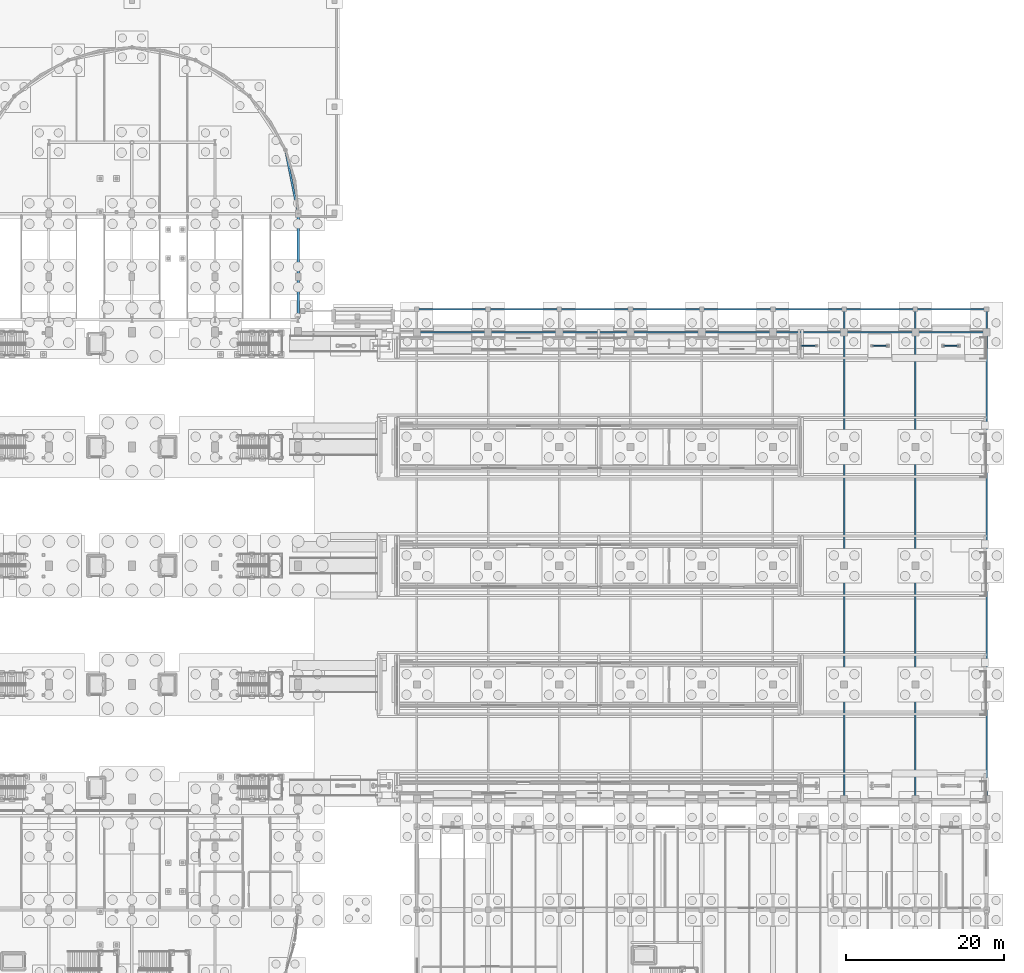
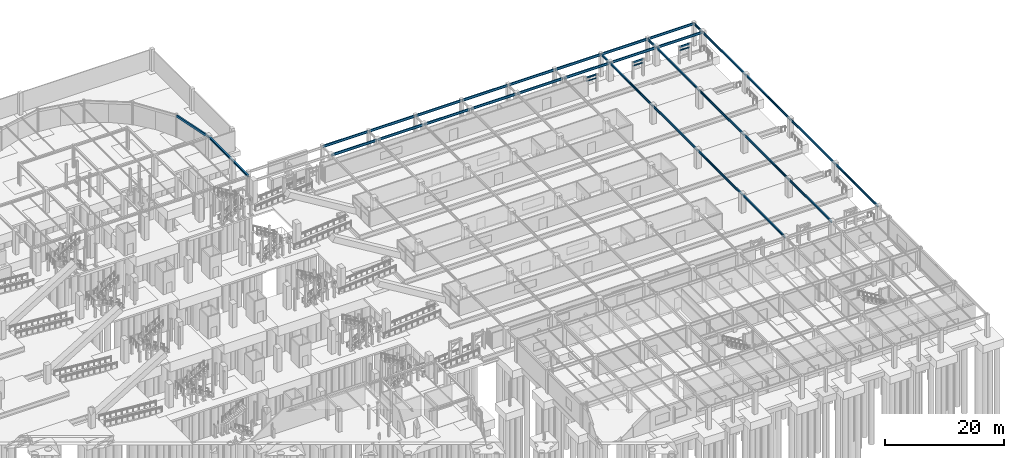
# One storey, part 90 of 160: 24 beams, 3 members.
"""IFC4 building model written with IfcOpenShell, lengths in metres."""

from ifc_helpers import new_model, si_unit, direction, frame, origin, origin_2d, place, context, subcontext, project, spatial, hollow_rectangle, i_section, extrude, material, material_profile, profile_set, type_object, element, save


model = new_model("IFC4")

# Units and contexts
model_context = context("Model", 3, precision=1e-05, world=origin(), true_north=direction((0.0, 1.0)))
body_context = subcontext(model_context, "Body", "Model", "MODEL_VIEW")
ifc_project = project(units=[si_unit("LENGTHUNIT", "METRE"), si_unit("AREAUNIT", "SQUARE_METRE"), si_unit("VOLUMEUNIT", "CUBIC_METRE"), si_unit("PLANEANGLEUNIT", "RADIAN"), si_unit("MASSUNIT", "GRAM", prefix="KILO")], contexts=[model_context])

# Site, building, storey
site_placement = place(None, origin())
site = spatial("IfcSite", under=ifc_project, at=site_placement, CompositionType="ELEMENT")
building_placement = place(site_placement, origin())
building = spatial("IfcBuilding", under=site, at=building_placement, Name="Marlcrest Central Station", CompositionType="ELEMENT")
storey_placement = place(building_placement, origin())
storey = spatial("IfcBuildingStorey", under=building, at=storey_placement, Name="L00", CompositionType="ELEMENT", Elevation=0.0)

# Beams
ifc_material = material(Name="Steel S355", Category="steel")
ifc_material_profile_1 = material_profile(ifc_material, i_section(OverallWidth=0.18994140625, OverallDepth=0.449951171875, WebThickness=0.009521484375, FlangeThickness=0.0146484375, FilletRadius=0.02099609375, at=origin_2d()), Name="IPE 450")
ifc_profile_set_1 = profile_set([ifc_material_profile_1], Name="Steel S355")
beam_type_1 = type_object("IfcBeamType", Name="BM-04", PredefinedType="BEAM", material=ifc_profile_set_1)
for number, where, z_axis, x_axis, name in (
    (1, (198.0, 36.550048828125, 4.385009765625), (0.0, 1.0, 0.0), (-1.0, 0.0, 0.0), "bm-BM-04-L00-01126"),
    (2, (207.0, 36.550048828125, 4.385009765625), (0.0, 1.0, 0.0), (-1.0, 0.0, 0.0), "bm-BM-04-L00-01131"),
    (3, (216.0, 36.550048828125, 4.385009765625), (0.0, 1.0, 0.0), (-1.0, 0.0, 0.0), "bm-BM-04-L00-01136"),
):
    element("IfcBeam", number, at=place(storey_placement, frame(where, z_axis=z_axis, x_axis=x_axis)), inside=storey, type_object=beam_type_1, Name=name, PredefinedType="BEAM", context=body_context, shape_type="SweptSolid", body=[
        extrude(i_section(OverallWidth=0.18994140625, OverallDepth=0.449951171875, WebThickness=0.009521484375, FlangeThickness=0.0146484375, FilletRadius=0.02099609375, at=origin_2d()), origin(), (0.0, 0.0, 1.0), 61.800048828125),
    ])
ifc_material_profile_2 = material_profile(ifc_material, i_section(OverallWidth=0.199951171875, OverallDepth=0.5, WebThickness=0.01025390625, FlangeThickness=0.01611328125, FilletRadius=0.02099609375, at=origin_2d()), Name="IPE 500")
ifc_profile_set_2 = profile_set([ifc_material_profile_2], Name="Steel S355")
beam_type_2 = type_object("IfcBeamType", Name="BM-05", PredefinedType="BEAM", material=ifc_profile_set_2)
for number, where, z_axis, x_axis, name in (
    (4, (144.050048828125, 95.5, 4.360107421875), (1.0, 0.0, 0.0), (0.0, 1.0, 0.0), "bm-BM-05-L00-01098"),
    (5, (144.050048828125, 98.39990234375, 4.360107421875), (1.0, 0.0, 0.0), (0.0, 1.0, 0.0), "bm-BM-05-L00-01099"),
    (6, (153.050048828125, 95.5, 4.360107421875), (1.0, 0.0, 0.0), (0.0, 1.0, 0.0), "bm-BM-05-L00-01103"),
    (7, (153.050048828125, 98.39990234375, 4.360107421875), (1.0, 0.0, 0.0), (0.0, 1.0, 0.0), "bm-BM-05-L00-01104"),
    (8, (162.050048828125, 95.5, 4.360107421875), (1.0, 0.0, 0.0), (0.0, 1.0, 0.0), "bm-BM-05-L00-01108"),
    (9, (162.050048828125, 98.39990234375, 4.360107421875), (1.0, 0.0, 0.0), (0.0, 1.0, 0.0), "bm-BM-05-L00-01109"),
    (10, (171.050048828125, 95.5, 4.360107421875), (1.0, 0.0, 0.0), (0.0, 1.0, 0.0), "bm-BM-05-L00-01113"),
    (11, (171.050048828125, 98.39990234375, 4.360107421875), (1.0, 0.0, 0.0), (0.0, 1.0, 0.0), "bm-BM-05-L00-01114"),
    (12, (180.050048828125, 95.5, 4.360107421875), (1.0, 0.0, 0.0), (0.0, 1.0, 0.0), "bm-BM-05-L00-01118"),
    (13, (180.050048828125, 98.39990234375, 4.360107421875), (1.0, 0.0, 0.0), (0.0, 1.0, 0.0), "bm-BM-05-L00-01119"),
    (14, (189.050048828125, 95.5, 4.360107421875), (1.0, 0.0, 0.0), (0.0, 1.0, 0.0), "bm-BM-05-L00-01123"),
    (15, (189.050048828125, 98.39990234375, 4.360107421875), (1.0, 0.0, 0.0), (0.0, 1.0, 0.0), "bm-BM-05-L00-01124"),
    (16, (198.050048828125, 95.5, 4.360107421875), (1.0, 0.0, 0.0), (0.0, 1.0, 0.0), "bm-BM-05-L00-01128"),
    (17, (198.050048828125, 98.39990234375, 4.360107421875), (1.0, 0.0, 0.0), (0.0, 1.0, 0.0), "bm-BM-05-L00-01129"),
    (18, (207.050048828125, 95.5, 4.360107421875), (1.0, 0.0, 0.0), (0.0, 1.0, 0.0), "bm-BM-05-L00-01133"),
    (19, (207.050048828125, 98.39990234375, 4.360107421875), (1.0, 0.0, 0.0), (0.0, 1.0, 0.0), "bm-BM-05-L00-01134"),
):
    element("IfcBeam", number, at=place(storey_placement, frame(where, z_axis=z_axis, x_axis=x_axis)), inside=storey, type_object=beam_type_2, Name=name, PredefinedType="BEAM", context=body_context, shape_type="SweptSolid", body=[
        extrude(i_section(OverallWidth=0.199951171875, OverallDepth=0.5, WebThickness=0.01025390625, FlangeThickness=0.01611328125, FilletRadius=0.02099609375, at=origin_2d()), origin(), (0.0, 0.0, 1.0), 8.89990234375),
    ])
ifc_material_profile_3 = material_profile(ifc_material, i_section(OverallWidth=0.300048828125, OverallDepth=0.389892578125, WebThickness=0.010986328125, FlangeThickness=0.01904296875, FilletRadius=0.027099609375, at=origin_2d()), Name="HEA 400")
ifc_profile_set_3 = profile_set([ifc_material_profile_3], Name="Steel S355")
beam_type_3 = type_object("IfcBeamType", Name="BM-08", PredefinedType="BEAM", material=ifc_profile_set_3)
beam_1_placement = place(storey_placement, frame((129.0, 97.14990234375, 4.324951171875), z_axis=(0.0, 1.0, 0.0), x_axis=(-1.0, 0.0, 0.0)))
element("IfcBeam", 20, at=beam_1_placement, inside=storey, type_object=beam_type_3, Name="bm-BM-08-L00-01449", PredefinedType="BEAM", context=body_context, shape_type="SweptSolid", body=[
    extrude(i_section(OverallWidth=0.300048828125, OverallDepth=0.389892578125, WebThickness=0.010986328125, FlangeThickness=0.01904296875, FilletRadius=0.027099609375, at=origin_2d()), origin(), (0.0, 0.0, 1.0), 13.300048828125),
])
ifc_material_profile_4 = material_profile(ifc_material, i_section(OverallWidth=0.159912109375, OverallDepth=0.330078125, WebThickness=0.007568359375, FlangeThickness=0.011474609375, FilletRadius=0.01806640625, at=origin_2d()), Name="IPE 330")
ifc_profile_set_4 = profile_set([ifc_material_profile_4], Name="Steel S355")
beam_type_4 = type_object("IfcBeamType", Name="JS-07", PredefinedType="JOIST", material=ifc_profile_set_4)
beam_2_placement = place(storey_placement, frame((192.5, 93.800048828125, 4.284912109375), z_axis=(1.0, 0.0, 0.0), x_axis=(0.0, 1.0, 0.0)))
element("IfcBeam", 21, at=beam_2_placement, inside=storey, type_object=beam_type_4, Name="bm-JS-07-L00-01561", PredefinedType="JOIST", context=body_context, shape_type="SweptSolid", body=[
    extrude(i_section(OverallWidth=0.159912109375, OverallDepth=0.330078125, WebThickness=0.007568359375, FlangeThickness=0.011474609375, FilletRadius=0.01806640625, at=origin_2d()), origin(), (0.0, 0.0, 1.0), 2.0),
])

# Members
ifc_material_profile_5 = material_profile(ifc_material, i_section(OverallWidth=0.08203125, OverallDepth=0.159912109375, WebThickness=0.0048828125, FlangeThickness=0.00732421875, FilletRadius=0.009033203125, at=origin_2d()), Name="IPE 160")
ifc_profile_set_5 = profile_set([ifc_material_profile_5], Name="Steel S355")
member_type_1 = type_object("IfcMemberType", Name="PR-04", PredefinedType="PURLIN", material=ifc_profile_set_5)
member_1_placement = place(storey_placement, frame((201.5, 93.800048828125, 3.550048828125), z_axis=(1.0, 0.0, 0.0), x_axis=(0.0, 1.0, 0.0)))
element("IfcMember", 22, at=member_1_placement, inside=storey, type_object=member_type_1, Name="mem-PR-04-L00-02557", PredefinedType="PURLIN", context=body_context, shape_type="SweptSolid", body=[
    extrude(i_section(OverallWidth=0.08203125, OverallDepth=0.159912109375, WebThickness=0.0048828125, FlangeThickness=0.00732421875, FilletRadius=0.009033203125, at=origin_2d()), origin(), (0.0, 0.0, 1.0), 2.0),
])
ifc_material_profile_6 = material_profile(ifc_material, i_section(OverallWidth=0.091064453125, OverallDepth=0.179931640625, WebThickness=0.00537109375, FlangeThickness=0.008056640625, FilletRadius=0.009033203125, at=origin_2d()), Name="IPE 180")
ifc_profile_set_6 = profile_set([ifc_material_profile_6], Name="Steel S355")
member_type_2 = type_object("IfcMemberType", Name="PR-05", PredefinedType="PURLIN", material=ifc_profile_set_6)
member_2_placement = place(storey_placement, frame((210.5, 93.800048828125, 3.550048828125), z_axis=(1.0, 0.0, 0.0), x_axis=(0.0, 1.0, 0.0)))
element("IfcMember", 23, at=member_2_placement, inside=storey, type_object=member_type_2, Name="mem-PR-05-L00-02559", PredefinedType="PURLIN", context=body_context, shape_type="SweptSolid", body=[
    extrude(i_section(OverallWidth=0.091064453125, OverallDepth=0.179931640625, WebThickness=0.00537109375, FlangeThickness=0.008056640625, FilletRadius=0.009033203125, at=origin_2d()), origin(), (0.0, 0.0, 1.0), 2.0),
])
ifc_material_profile_7 = material_profile(ifc_material, hollow_rectangle(XDim=0.10009765625, YDim=0.199951171875, WallThickness=0.008056640625, at=origin_2d()), Name="RHS 200x100x8")
ifc_profile_set_7 = profile_set([ifc_material_profile_7], Name="Steel S355")
member_type_3 = type_object("IfcMemberType", Name="PR-08", PredefinedType="PURLIN", material=ifc_profile_set_7)
member_3_placement = place(storey_placement, frame((192.5, 93.800048828125, 3.550048828125), z_axis=(1.0, 0.0, 0.0), x_axis=(0.0, 1.0, 0.0)))
element("IfcMember", 24, at=member_3_placement, inside=storey, type_object=member_type_3, Name="mem-PR-08-L00-02555", PredefinedType="PURLIN", context=body_context, shape_type="SweptSolid", body=[
    extrude(hollow_rectangle(XDim=0.10009765625, YDim=0.199951171875, WallThickness=0.008056640625, at=origin_2d()), origin(), (0.0, 0.0, 1.0), 2.0),
])

# Beams
ifc_material_profile_8 = material_profile(ifc_material, hollow_rectangle(XDim=0.25, YDim=0.449951171875, WallThickness=0.01611328125, at=origin_2d()), Name="RHS 450x250x16")
ifc_profile_set_8 = profile_set([ifc_material_profile_8], Name="Steel S355")
beam_type_5 = type_object("IfcBeamType", Name="SP-02", PredefinedType="SPANDREL", material=ifc_profile_set_8)
beam_3_placement = place(storey_placement, frame((127.40087890625, 118.535888671875, 4.294921875), z_axis=(0.19517056122, -0.980769316421, 0.0), x_axis=(0.980769316421, 0.19517056122, 0.0)))
element("IfcBeam", 25, at=beam_3_placement, inside=storey, type_object=beam_type_5, Name="bm-SP-02-L00-01425", PredefinedType="SPANDREL", context=body_context, shape_type="SweptSolid", body=[
    extrude(hollow_rectangle(XDim=0.25, YDim=0.449951171875, WallThickness=0.01611328125, at=origin_2d()), origin(), (0.0, 0.0, 1.0), 8.193359375),
])
ifc_material_profile_9 = material_profile(ifc_material, hollow_rectangle(XDim=0.14990234375, YDim=0.35009765625, WallThickness=0.012451171875, at=origin_2d()), Name="RHS 350x150x12.5")
ifc_profile_set_9 = profile_set([ifc_material_profile_9], Name="Steel S355")
beam_type_6 = type_object("IfcBeamType", Name="SP-04", PredefinedType="SPANDREL", material=ifc_profile_set_9)
beam_4_placement = place(storey_placement, frame((201.5, 93.800048828125, 4.27490234375), z_axis=(1.0, 0.0, 0.0), x_axis=(0.0, 1.0, 0.0)))
element("IfcBeam", 26, at=beam_4_placement, inside=storey, type_object=beam_type_6, Name="bm-SP-04-L00-01563", PredefinedType="SPANDREL", context=body_context, shape_type="SweptSolid", body=[
    extrude(hollow_rectangle(XDim=0.14990234375, YDim=0.35009765625, WallThickness=0.012451171875, at=origin_2d()), origin(), (0.0, 0.0, 1.0), 2.0),
])
ifc_material_profile_10 = material_profile(ifc_material, hollow_rectangle(XDim=0.199951171875, YDim=0.300048828125, WallThickness=0.012451171875, at=origin_2d()), Name="RHS 300x200x12.5")
ifc_profile_set_10 = profile_set([ifc_material_profile_10], Name="Steel S355")
beam_type_7 = type_object("IfcBeamType", Name="SP-05", PredefinedType="SPANDREL", material=ifc_profile_set_10)
beam_5_placement = place(storey_placement, frame((210.5, 93.800048828125, 4.300048828125), z_axis=(1.0, 0.0, 0.0), x_axis=(0.0, 1.0, 0.0)))
element("IfcBeam", 27, at=beam_5_placement, inside=storey, type_object=beam_type_7, Name="bm-SP-05-L00-01565", PredefinedType="SPANDREL", context=body_context, shape_type="SweptSolid", body=[
    extrude(hollow_rectangle(XDim=0.199951171875, YDim=0.300048828125, WallThickness=0.012451171875, at=origin_2d()), origin(), (0.0, 0.0, 1.0), 2.0),
])

save(model, "model.ifc")
